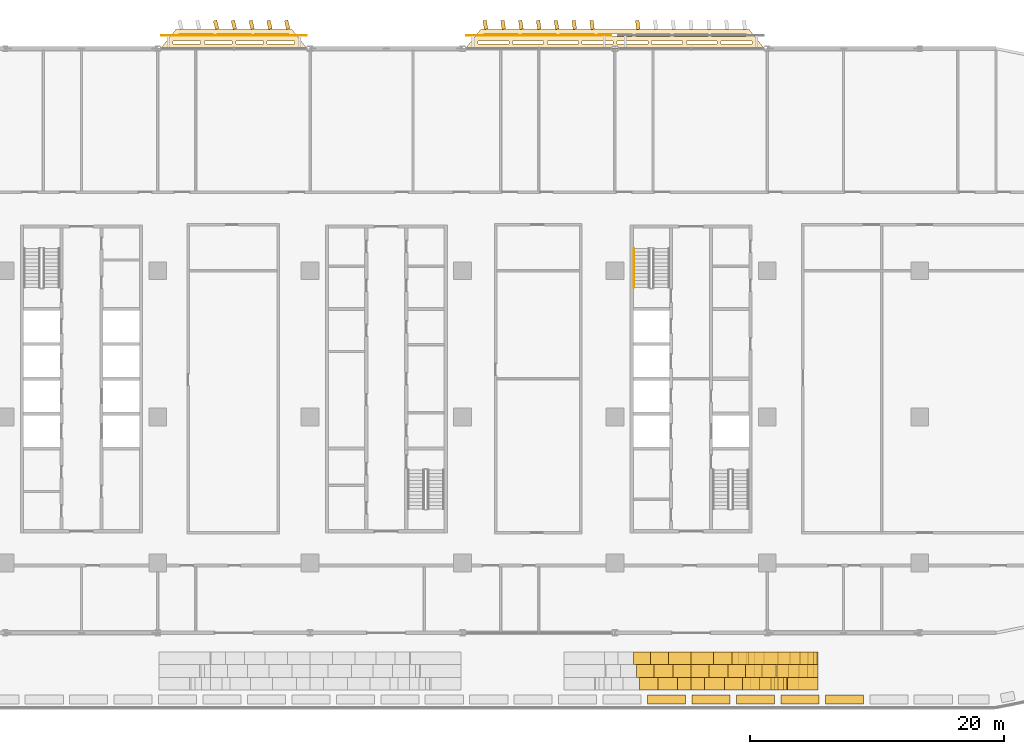
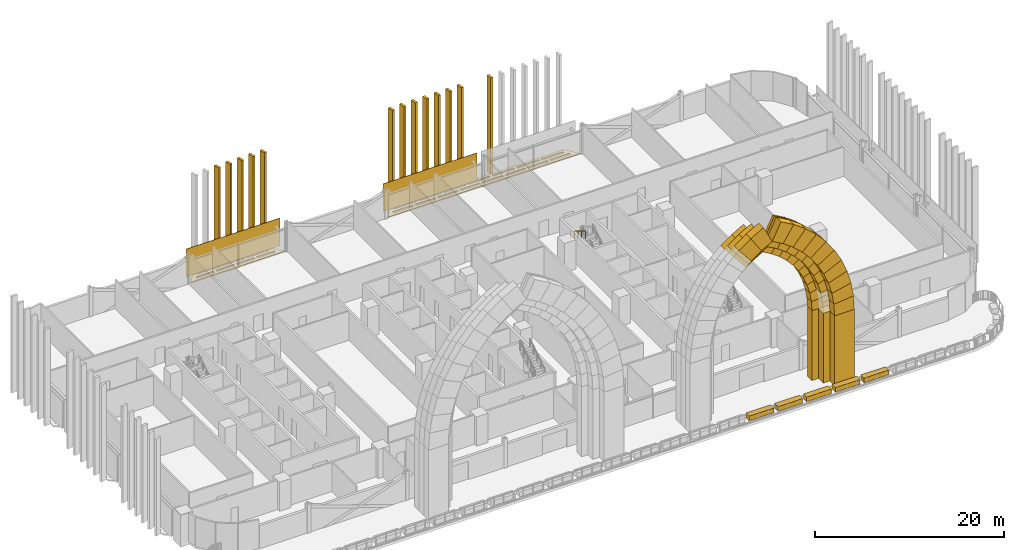
# One storey, part 27 of 31: 59 coverings, 1 railing.
"""IFC4 building model written with IfcOpenShell, lengths in metres."""

from ifc_helpers import new_model, si_unit, direction, frame, origin, origin_2d, place, context, subcontext, project, spatial, polyline, rectangle, circle, outline, extrude, material, layer, layer_set, type_object, element, save


model = new_model("IFC4")

# Units and contexts
model_context = context("Model", 3, precision=1e-05, world=origin(), true_north=direction((0.0, 1.0)))
body_context = subcontext(model_context, "Body", "Model", "MODEL_VIEW")
ifc_project = project(units=[si_unit("LENGTHUNIT", "METRE"), si_unit("AREAUNIT", "SQUARE_METRE"), si_unit("VOLUMEUNIT", "CUBIC_METRE"), si_unit("PLANEANGLEUNIT", "RADIAN"), si_unit("MASSUNIT", "GRAM", prefix="KILO")], contexts=[model_context])

# Site, building, storey
site_placement = place(None, origin())
site = spatial("IfcSite", under=ifc_project, at=site_placement, CompositionType="ELEMENT")
building_placement = place(site_placement, origin())
building = spatial("IfcBuilding", under=site, at=building_placement, Name="Mahtab Terrace Research Tower", CompositionType="ELEMENT")
storey_placement = place(building_placement, frame((0.0, 0.0, 84.800048828125)))
storey = spatial("IfcBuildingStorey", under=building, at=storey_placement, Name="L19", CompositionType="ELEMENT", Elevation=84.800048828125)

# Coverings
ifc_material_1 = material(Name="Black anodised aluminium", Category="aluminium")
ifc_layer_1 = layer(ifc_material_1, 0.14990234375)
ifc_layer_set_1 = layer_set([ifc_layer_1], Name="Horizontal sunshade band")
covering_type_1 = type_object("IfcCoveringType", Name="Horizontal sunshade band", PredefinedType="CLADDING", material=ifc_layer_set_1)
covering_1_placement = place(storey_placement, frame((0.0, 0.0, -0.150146484375)))
element("IfcCovering", 1, at=covering_1_placement, inside=storey, type_object=covering_type_1, Name="Sunshade band L19 5", PredefinedType="CLADDING", context=body_context, shape_type="SweptSolid", body=[
    extrude(outline(polyline([(29.77197265625, 29.0), (6.22802734375, 29.0), (7.427978515625, 30.5), (28.572021484375, 30.5), (29.77197265625, 29.0)]), holes=[polyline([(28.7919921875, 29.35009765625), (26.35595703125, 29.35009765625), (26.35595703125, 29.60009765625), (28.7919921875, 29.60009765625), (28.7919921875, 29.35009765625)]), polyline([(26.055908203125, 29.35009765625), (23.62109375, 29.35009765625), (23.62109375, 29.60009765625), (26.055908203125, 29.60009765625), (26.055908203125, 29.35009765625)]), polyline([(23.321044921875, 29.35009765625), (20.885009765625, 29.35009765625), (20.885009765625, 29.60009765625), (23.321044921875, 29.60009765625), (23.321044921875, 29.35009765625)]), polyline([(20.5849609375, 29.35009765625), (18.14990234375, 29.35009765625), (18.14990234375, 29.60009765625), (20.5849609375, 29.60009765625), (20.5849609375, 29.35009765625)]), polyline([(17.85009765625, 29.35009765625), (15.4150390625, 29.35009765625), (15.4150390625, 29.60009765625), (17.85009765625, 29.60009765625), (17.85009765625, 29.35009765625)]), polyline([(15.114013671875, 29.35009765625), (12.678955078125, 29.35009765625), (12.678955078125, 29.60009765625), (15.114013671875, 29.60009765625), (15.114013671875, 29.35009765625)]), polyline([(12.37890625, 29.35009765625), (9.944091796875, 29.35009765625), (9.944091796875, 29.60009765625), (12.37890625, 29.60009765625), (12.37890625, 29.35009765625)]), polyline([(9.64404296875, 29.35009765625), (7.2080078125, 29.35009765625), (7.2080078125, 29.60009765625), (9.64404296875, 29.60009765625), (9.64404296875, 29.35009765625)]), polyline([(28.31201171875, 29.949951171875), (25.623046875, 29.949951171875), (25.623046875, 30.199951171875), (28.31201171875, 30.199951171875), (28.31201171875, 29.949951171875)]), polyline([(25.322998046875, 29.949951171875), (22.634033203125, 29.949951171875), (22.634033203125, 30.199951171875), (25.322998046875, 30.199951171875), (25.322998046875, 29.949951171875)]), polyline([(22.333984375, 29.949951171875), (19.64501953125, 29.949951171875), (19.64501953125, 30.199951171875), (22.333984375, 30.199951171875), (22.333984375, 29.949951171875)]), polyline([(19.344970703125, 29.949951171875), (16.655029296875, 29.949951171875), (16.655029296875, 30.199951171875), (19.344970703125, 30.199951171875), (19.344970703125, 29.949951171875)]), polyline([(16.35498046875, 29.949951171875), (13.666015625, 29.949951171875), (13.666015625, 30.199951171875), (16.35498046875, 30.199951171875), (16.35498046875, 29.949951171875)]), polyline([(13.365966796875, 29.949951171875), (10.677001953125, 29.949951171875), (10.677001953125, 30.199951171875), (13.365966796875, 30.199951171875), (13.365966796875, 29.949951171875)]), polyline([(10.376953125, 29.949951171875), (7.68798828125, 29.949951171875), (7.68798828125, 30.199951171875), (10.376953125, 30.199951171875), (10.376953125, 29.949951171875)])]), origin(), (0.0, 0.0, 1.0), 0.150146484375),
])
covering_2_placement = place(storey_placement, frame((0.0, 0.0, -0.150146484375)))
element("IfcCovering", 2, at=covering_2_placement, inside=storey, type_object=covering_type_1, Name="Sunshade band L19 8", PredefinedType="CLADDING", context=body_context, shape_type="SweptSolid", body=[
    extrude(outline(polyline([(-6.22802734375, 29.0), (-17.77197265625, 29.0), (-16.572021484375, 30.5), (-7.427978515625, 30.5), (-6.22802734375, 29.0)]), holes=[polyline([(-7.2080078125, 29.35009765625), (-9.37890625, 29.35009765625), (-9.37890625, 29.60009765625), (-7.2080078125, 29.60009765625), (-7.2080078125, 29.35009765625)]), polyline([(-9.678955078125, 29.35009765625), (-11.85009765625, 29.35009765625), (-11.85009765625, 29.60009765625), (-9.678955078125, 29.60009765625), (-9.678955078125, 29.35009765625)]), polyline([(-12.14990234375, 29.35009765625), (-14.321044921875, 29.35009765625), (-14.321044921875, 29.60009765625), (-12.14990234375, 29.60009765625), (-12.14990234375, 29.35009765625)]), polyline([(-14.62109375, 29.35009765625), (-16.7919921875, 29.35009765625), (-16.7919921875, 29.60009765625), (-14.62109375, 29.60009765625), (-14.62109375, 29.35009765625)]), polyline([(-7.68798828125, 29.949951171875), (-10.363037109375, 29.949951171875), (-10.363037109375, 30.199951171875), (-7.68798828125, 30.199951171875), (-7.68798828125, 29.949951171875)]), polyline([(-10.6630859375, 29.949951171875), (-13.3369140625, 29.949951171875), (-13.3369140625, 30.199951171875), (-10.6630859375, 30.199951171875), (-10.6630859375, 29.949951171875)]), polyline([(-13.636962890625, 29.949951171875), (-16.31201171875, 29.949951171875), (-16.31201171875, 30.199951171875), (-13.636962890625, 30.199951171875), (-13.636962890625, 29.949951171875)])]), origin(), (0.0, 0.0, 1.0), 0.150146484375),
])
ifc_material_2 = material(Name="Glazed ceramic tile cladding", Category="masonry")
ifc_layer_2 = layer(ifc_material_2, 1.0)
ifc_layer_set_2 = layer_set([ifc_layer_2], Name="Iwan portal cladding arch course 800")
covering_type_2 = type_object("IfcCoveringType", Name="Iwan portal cladding arch course 800", PredefinedType="CLADDING", material=ifc_layer_set_2)
covering_3_placement = place(storey_placement, frame((19.464111328125, -18.5, 20.513916015625), z_axis=(0.0, 1.0, 0.0), x_axis=(0.809615740887, 0.0, 0.586960264506)))
element("IfcCovering", 3, at=covering_3_placement, inside=storey, type_object=covering_type_2, Name="Iwan portal arch course 2.2.1W9", PredefinedType="CLADDING", context=body_context, shape_type="SweptSolid", body=[
    extrude(outline(polyline([(0.0, 0.0), (1.6425495666851702, 0.0), (1.4194930729205357, 3.9945677590866824), (0.22069244711913805, 3.9939213630454797), (0.0, 0.0)])), origin(), (0.0, 0.0, -1.0), 1.0),
])
covering_4_placement = place(storey_placement, frame((20.7939453125, -18.5, 21.47802734375), z_axis=(0.0, 1.0, 0.0), x_axis=(0.8698584092, 0.0, 0.493301477743)))
element("IfcCovering", 4, at=covering_4_placement, inside=storey, type_object=covering_type_2, Name="Iwan portal arch course 2.2.1W10", PredefinedType="CLADDING", context=body_context, shape_type="SweptSolid", body=[
    extrude(outline(polyline([(0.0, 0.0), (1.641621786398049, -1.1102230246251565e-16), (1.4207932480320598, 3.9938370790592885), (0.22247330845292224, 3.994600281426338), (0.0, 0.0)])), origin(), (0.0, 0.0, -1.0), 1.0),
])
covering_5_placement = place(storey_placement, frame((30.0, -18.5, 9.030029296875), z_axis=(0.0, 1.0, 0.0), x_axis=(-0.054985017031, 0.0, 0.998487179638)))
element("IfcCovering", 5, at=covering_5_placement, inside=storey, type_object=covering_type_2, Name="Iwan portal arch course 2.2.1E1", PredefinedType="CLADDING", context=body_context, shape_type="SweptSolid", body=[
    extrude(outline(polyline([(0.0, 0.0), (1.1988351065344451, 0.0), (1.4224788276243772, 3.993191550924247), (-0.21994006812347563, 3.993948718553337), (0.0, 0.0)])), origin(), (0.0, 0.0, -1.0), 1.0),
])
covering_6_placement = place(storey_placement, frame((29.93408203125, -18.5, 10.22705078125), z_axis=(0.0, 1.0, 0.0), x_axis=(-0.166150874454, 0.0, 0.98610034323)))
element("IfcCovering", 6, at=covering_6_placement, inside=storey, type_object=covering_type_2, Name="Iwan portal arch course 2.2.1E2", PredefinedType="CLADDING", context=body_context, shape_type="SweptSolid", body=[
    extrude(outline(polyline([(0.0, 0.0), (1.197553789766393, 0.0), (1.4181135708206742, 3.994017136573441), (-0.2237100498928522, 3.9931878355435124), (0.0, 0.0)])), origin(), (0.0, 0.0, -1.0), 1.0),
])
covering_7_placement = place(storey_placement, frame((29.735107421875, -18.5, 11.407958984375), z_axis=(0.0, 1.0, 0.0), x_axis=(-0.27445221207, 0.0, 0.961600740063)))
element("IfcCovering", 7, at=covering_7_placement, inside=storey, type_object=covering_type_2, Name="Iwan portal arch course 2.2.1E3", PredefinedType="CLADDING", context=body_context, shape_type="SweptSolid", body=[
    extrude(outline(polyline([(0.0, 0.0), (1.199121552047934, -5.551115123125783e-17), (1.4190565511190025, 3.9947634671425267), (-0.2236030718774017, 3.9938479152952238), (0.0, 0.0)])), origin(), (0.0, 0.0, -1.0), 1.0),
])
covering_8_placement = place(storey_placement, frame((29.406005859375, -18.5, 12.56103515625), z_axis=(0.0, 1.0, 0.0), x_axis=(-0.378966025683, 0.0, 0.925410585296)))
element("IfcCovering", 8, at=covering_8_placement, inside=storey, type_object=covering_type_2, Name="Iwan portal arch course 2.2.1E4", PredefinedType="CLADDING", context=body_context, shape_type="SweptSolid", body=[
    extrude(outline(polyline([(0.0, 0.0), (1.1982645718225517, -5.551115123125783e-17), (1.4201917156444848, 3.9940794424534234), (-0.2225640464640124, 3.9946178549962124), (0.0, 0.0)])), origin(), (0.0, 0.0, -1.0), 1.0),
])
covering_9_placement = place(storey_placement, frame((28.951904296875, -18.5, 13.669921875), z_axis=(0.0, 1.0, 0.0), x_axis=(-0.478952042529, 0.0, 0.877841068165)))
element("IfcCovering", 9, at=covering_9_placement, inside=storey, type_object=covering_type_2, Name="Iwan portal arch course 2.2.1E5", PredefinedType="CLADDING", context=body_context, shape_type="SweptSolid", body=[
    extrude(outline(polyline([(0.0, 0.0), (1.1983968297629959, 0.0), (1.4202998293334266, 3.994376096565172), (-0.22100012408733938, 3.9941308434936618), (0.0, 0.0)])), origin(), (0.0, 0.0, -1.0), 1.0),
])
covering_10_placement = place(storey_placement, frame((28.3779296875, -18.5, 14.721923828125), z_axis=(0.0, 1.0, 0.0), x_axis=(-0.573270912999, 0.0, 0.819365889154)))
element("IfcCovering", 10, at=covering_10_placement, inside=storey, type_object=covering_type_2, Name="Iwan portal arch course 2.2.1E6", PredefinedType="CLADDING", context=body_context, shape_type="SweptSolid", body=[
    extrude(outline(polyline([(0.0, 0.0), (1.1984067273820767, 1.1102230246251565e-16), (1.4210686151577359, 3.994143713161765), (-0.22205539999335344, 3.9943676272175255), (0.0, 0.0)])), origin(), (0.0, 0.0, -1.0), 1.0),
])
covering_11_placement = place(storey_placement, frame((27.69091796875, -18.5, 15.703857421875), z_axis=(0.0, 1.0, 0.0), x_axis=(-0.660563628093, 0.0, 0.750770066825)))
element("IfcCovering", 11, at=covering_11_placement, inside=storey, type_object=covering_type_2, Name="Iwan portal arch course 2.2.1E7", PredefinedType="CLADDING", context=body_context, shape_type="SweptSolid", body=[
    extrude(outline(polyline([(0.0, 0.0), (1.1989642690229376, 0.0), (1.4208619727254268, 3.9940701767119156), (-0.22145580088595218, 3.9942107663356263), (0.0, 0.0)])), origin(), (0.0, 0.0, -1.0), 1.0),
])
covering_12_placement = place(storey_placement, frame((26.89892578125, -18.5, 16.60400390625), z_axis=(0.0, 1.0, 0.0), x_axis=(-0.739746345725, 0.0, 0.672885832802)))
element("IfcCovering", 12, at=covering_12_placement, inside=storey, type_object=covering_type_2, Name="Iwan portal arch course 2.2.1E8", PredefinedType="CLADDING", context=body_context, shape_type="SweptSolid", body=[
    extrude(outline(polyline([(0.0, 0.0), (1.197689361015028, 1.1102230246251565e-16), (1.4199871494725709, 3.9938323329420555), (-0.22239538029747208, 3.994042496297496), (0.0, 0.0)])), origin(), (0.0, 0.0, -1.0), 1.0),
])
covering_13_placement = place(storey_placement, frame((26.012939453125, -18.5, 17.409912109375), z_axis=(0.0, 1.0, 0.0), x_axis=(-0.809932113465, 0.0, 0.586523632582)))
element("IfcCovering", 13, at=covering_13_placement, inside=storey, type_object=covering_type_2, Name="Iwan portal arch course 2.2.1E9", PredefinedType="CLADDING", context=body_context, shape_type="SweptSolid", body=[
    extrude(outline(polyline([(0.0, 0.0), (1.1988008000704973, 0.0), (1.419703381644306, 3.9946874509527515), (-0.2228459462642176, 3.9938017845957376), (0.0, 0.0)])), origin(), (0.0, 0.0, -1.0), 1.0),
])
covering_14_placement = place(storey_placement, frame((25.0419921875, -18.5, 18.113037109375), z_axis=(0.0, 1.0, 0.0), x_axis=(-0.869544052261, 0.0, 0.493855384883)))
element("IfcCovering", 14, at=covering_14_placement, inside=storey, type_object=covering_type_2, Name="Iwan portal arch course 2.2.1E10", PredefinedType="CLADDING", context=body_context, shape_type="SweptSolid", body=[
    extrude(outline(polyline([(0.0, 0.0), (1.1983201826184857, 0.0), (1.4216923251785247, 3.993695624775858), (-0.21992912827120636, 3.9947411630646656), (0.0, 0.0)])), origin(), (0.0, 0.0, -1.0), 1.0),
])
covering_15_placement = place(storey_placement, frame((19.699951171875, -19.5, 21.010009765625), z_axis=(0.0, 1.0, 0.0), x_axis=(0.809720417913, 0.0, 0.586815852559)))
element("IfcCovering", 15, at=covering_15_placement, inside=storey, type_object=covering_type_2, Name="Iwan portal arch course 2.2.2W9", PredefinedType="CLADDING", context=body_context, shape_type="SweptSolid", body=[
    extrude(outline(polyline([(0.0, 0.0), (1.7140971407176187, -1.1102230246251565e-16), (1.5362396927436595, 3.195578256446746), (0.17770601068267022, 3.1954671560688652), (0.0, 0.0)])), origin(), (0.0, 0.0, -1.0), 1.0),
])
covering_16_placement = place(storey_placement, frame((21.087890625, -19.5, 22.015869140625), z_axis=(0.0, 1.0, 0.0), x_axis=(0.869861148787, 0.0, 0.493296646887)))
element("IfcCovering", 16, at=covering_16_placement, inside=storey, type_object=covering_type_2, Name="Iwan portal arch course 2.2.2W10", PredefinedType="CLADDING", context=body_context, shape_type="SweptSolid", body=[
    extrude(outline(polyline([(0.0, 0.0), (1.7129058315250214, 0.0), (1.5361802099128599, 3.1945197738608115), (0.1780020941093967, 3.1955702025409645), (0.0, 0.0)])), origin(), (0.0, 0.0, -1.0), 1.0),
])
covering_17_placement = place(storey_placement, frame((30.4990234375, -19.5, 11.725830078125), z_axis=(0.0, 1.0, 0.0), x_axis=(-0.273961282228, 0.0, 0.961740721733)))
element("IfcCovering", 17, at=covering_17_placement, inside=storey, type_object=covering_type_2, Name="Iwan portal arch course 2.2.2E3", PredefinedType="CLADDING", context=body_context, shape_type="SweptSolid", body=[
    extrude(outline(polyline([(0.0, 0.0), (1.358112757663172, 0.0), (1.535557291409583, 3.1947682403449686), (-0.17816324112717452, 3.195518722526884), (0.0, 0.0)])), origin(), (0.0, 0.0, -1.0), 1.0),
])
covering_18_placement = place(storey_placement, frame((30.126953125, -19.5, 13.031982421875), z_axis=(0.0, 1.0, 0.0), x_axis=(-0.378415838613, 0.0, 0.925635702146)))
element("IfcCovering", 18, at=covering_18_placement, inside=storey, type_object=covering_type_2, Name="Iwan portal arch course 2.2.2E4", PredefinedType="CLADDING", context=body_context, shape_type="SweptSolid", body=[
    extrude(outline(polyline([(0.0, 0.0), (1.3580721607980304, 0.0), (1.5376096745140528, 3.194405582655918), (-0.17618047584585084, 3.1948381980945597), (0.0, 0.0)])), origin(), (0.0, 0.0, -1.0), 1.0),
])
covering_19_placement = place(storey_placement, frame((29.613037109375, -19.5, 14.2890625), z_axis=(0.0, 1.0, 0.0), x_axis=(-0.47941878879, 0.0, 0.877586249297)))
element("IfcCovering", 19, at=covering_19_placement, inside=storey, type_object=covering_type_2, Name="Iwan portal arch course 2.2.2E5", PredefinedType="CLADDING", context=body_context, shape_type="SweptSolid", body=[
    extrude(outline(polyline([(0.0, 0.0), (1.3581508737233285, 1.1102230246251565e-16), (1.535112282874346, 3.194936984609274), (-0.1783195243449227, 3.1944738052724784), (0.0, 0.0)])), origin(), (0.0, 0.0, -1.0), 1.0),
])
covering_20_placement = place(storey_placement, frame((28.9619140625, -19.5, 15.48095703125), z_axis=(0.0, 1.0, 0.0), x_axis=(-0.573305531521, 0.0, 0.819341667149)))
element("IfcCovering", 20, at=covering_20_placement, inside=storey, type_object=covering_type_2, Name="Iwan portal arch course 2.2.2E6", PredefinedType="CLADDING", context=body_context, shape_type="SweptSolid", body=[
    extrude(outline(polyline([(0.0, 0.0), (1.3584529555876084, 0.0), (1.5359713438313862, 3.1948105649984546), (-0.17657538685367147, 3.194958342249612), (0.0, 0.0)])), origin(), (0.0, 0.0, -1.0), 1.0),
])
covering_21_placement = place(storey_placement, frame((28.18310546875, -19.5, 16.593994140625), z_axis=(0.0, 1.0, 0.0), x_axis=(-0.660818389462, 0.0, 0.750545838806)))
element("IfcCovering", 21, at=covering_21_placement, inside=storey, type_object=covering_type_2, Name="Iwan portal arch course 2.2.2E7", PredefinedType="CLADDING", context=body_context, shape_type="SweptSolid", body=[
    extrude(outline(polyline([(0.0, 0.0), (1.357735818468913, 0.0), (1.5352853241044477, 3.195452847428281), (-0.17866535662826277, 3.1947466276265644), (0.0, 0.0)])), origin(), (0.0, 0.0, -1.0), 1.0),
])
covering_22_placement = place(storey_placement, frame((27.285888671875, -19.5, 17.613037109375), z_axis=(0.0, 1.0, 0.0), x_axis=(-0.739834331343, 0.0, 0.67278909189)))
element("IfcCovering", 22, at=covering_22_placement, inside=storey, type_object=covering_type_2, Name="Iwan portal arch course 2.2.2E8", PredefinedType="CLADDING", context=body_context, shape_type="SweptSolid", body=[
    extrude(outline(polyline([(0.0, 0.0), (1.3582538278203846, 0.0), (1.5351356474983595, 3.195512884282427), (-0.17724034614618045, 3.195470010309424), (0.0, 0.0)])), origin(), (0.0, 0.0, -1.0), 1.0),
])
covering_23_placement = place(storey_placement, frame((26.281005859375, -19.5, 18.52685546875), z_axis=(0.0, 1.0, 0.0), x_axis=(-0.809768404787, 0.0, 0.586749631964)))
element("IfcCovering", 23, at=covering_23_placement, inside=storey, type_object=covering_type_2, Name="Iwan portal arch course 2.2.2E9", PredefinedType="CLADDING", context=body_context, shape_type="SweptSolid", body=[
    extrude(outline(polyline([(0.0, 0.0), (1.3585336866038626, 1.1102230246251565e-16), (1.536129800785865, 3.1955927908765984), (-0.17796733419989197, 3.1954526126521383), (0.0, 0.0)])), origin(), (0.0, 0.0, -1.0), 1.0),
])
covering_24_placement = place(storey_placement, frame((25.180908203125, -19.5, 19.323974609375), z_axis=(0.0, 1.0, 0.0), x_axis=(-0.86947936813, 0.0, 0.493969258553)))
element("IfcCovering", 24, at=covering_24_placement, inside=storey, type_object=covering_type_2, Name="Iwan portal arch course 2.2.2E10", PredefinedType="CLADDING", context=body_context, shape_type="SweptSolid", body=[
    extrude(outline(polyline([(0.0, 0.0), (1.3581785220094809, 0.0), (1.5373747639034314, 3.19438213709835), (-0.17553055532321005, 3.19570691538241), (0.0, 0.0)])), origin(), (0.0, 0.0, -1.0), 1.0),
])
covering_25_placement = place(storey_placement, frame((19.93701171875, -20.5, 21.5068359375), z_axis=(0.0, 1.0, 0.0), x_axis=(0.80956979059, 0.0, 0.587023640209)))
element("IfcCovering", 25, at=covering_25_placement, inside=storey, type_object=covering_type_2, Name="Iwan portal arch course 2.2.3W9", PredefinedType="CLADDING", context=body_context, shape_type="SweptSolid", body=[
    extrude(outline(polyline([(0.0, 0.0), (1.7837767832508935, 0.0), (1.6506161084377848, 2.3962084118475846), (0.13189983204262967, 2.3954015433139735), (0.0, 0.0)])), origin(), (0.0, 0.0, -1.0), 1.0),
])
covering_26_placement = place(storey_placement, frame((21.381103515625, -20.5, 22.553955078125), z_axis=(0.0, 1.0, 0.0), x_axis=(0.869628771426, 0.0, 0.493706187836)))
element("IfcCovering", 26, at=covering_26_placement, inside=storey, type_object=covering_type_2, Name="Iwan portal arch course 2.2.3W10", PredefinedType="CLADDING", context=body_context, shape_type="SweptSolid", body=[
    extrude(outline(polyline([(0.0, 0.0), (1.7846718095354535, -1.1102230246251565e-16), (1.650933365896736, 2.396561677440083), (0.13316643440676035, 2.3962080917719137), (0.0, 0.0)])), origin(), (0.0, 0.0, -1.0), 1.0),
])
covering_27_placement = place(storey_placement, frame((31.60009765625, -20.5, 9.030029296875), z_axis=(0.0, 1.0, 0.0), x_axis=(-0.055318610266, 0.0, 0.998468753321)))
element("IfcCovering", 27, at=covering_27_placement, inside=storey, type_object=covering_type_2, Name="Iwan portal arch course 2.2.3E1", PredefinedType="CLADDING", context=body_context, shape_type="SweptSolid", body=[
    extrude(outline(polyline([(0.0, 0.0), (1.5181938699465614, 0.0), (1.6519777459329505, 2.395834977448435), (-0.13275926243067587, 2.396227501256007), (0.0, 0.0)])), origin(), (0.0, 0.0, -1.0), 1.0),
])
covering_28_placement = place(storey_placement, frame((31.51611328125, -20.5, 10.5458984375), z_axis=(0.0, 1.0, 0.0), x_axis=(-0.166119871209, 0.0, 0.986105566554)))
element("IfcCovering", 28, at=covering_28_placement, inside=storey, type_object=covering_type_2, Name="Iwan portal arch course 2.2.3E2", PredefinedType="CLADDING", context=body_context, shape_type="SweptSolid", body=[
    extrude(outline(polyline([(0.0, 0.0), (1.5181643459644198, 0.0), (1.6500058731711127, 2.396260634549468), (-0.13374117051284962, 2.3958373617483173), (0.0, 0.0)])), origin(), (0.0, 0.0, -1.0), 1.0),
])
covering_29_placement = place(storey_placement, frame((31.263916015625, -20.5, 12.04296875), z_axis=(0.0, 1.0, 0.0), x_axis=(-0.274041357069, 0.0, 0.961717908025)))
element("IfcCovering", 29, at=covering_29_placement, inside=storey, type_object=covering_type_2, Name="Iwan portal arch course 2.2.3E3", PredefinedType="CLADDING", context=body_context, shape_type="SweptSolid", body=[
    extrude(outline(polyline([(0.0, 0.0), (1.5180760650474732, -5.551115123125783e-17), (1.6504569233223965, 2.3960708406005846), (-0.13368816842764542, 2.3961583191872093), (0.0, 0.0)])), origin(), (0.0, 0.0, -1.0), 1.0),
])
covering_30_placement = place(storey_placement, frame((30.847900390625, -20.5, 13.5029296875), z_axis=(0.0, 1.0, 0.0), x_axis=(-0.378726772963, 0.0, 0.925508525861)))
element("IfcCovering", 30, at=covering_30_placement, inside=storey, type_object=covering_type_2, Name="Iwan portal arch course 2.2.3E4", PredefinedType="CLADDING", context=body_context, shape_type="SweptSolid", body=[
    extrude(outline(polyline([(0.0, 0.0), (1.5181159952775325, 0.0), (1.651622750133583, 2.3960392670320374), (-0.13343843854673565, 2.396012176081792), (0.0, 0.0)])), origin(), (0.0, 0.0, -1.0), 1.0),
])
covering_31_placement = place(storey_placement, frame((30.27294921875, -20.5, 14.907958984375), z_axis=(0.0, 1.0, 0.0), x_axis=(-0.47910009193, 0.0, 0.87776027588)))
element("IfcCovering", 31, at=covering_31_placement, inside=storey, type_object=covering_type_2, Name="Iwan portal arch course 2.2.3E5", PredefinedType="CLADDING", context=body_context, shape_type="SweptSolid", body=[
    extrude(outline(polyline([(0.0, 0.0), (1.517534213615231, 0.0), (1.6508916407475462, 2.395818212997516), (-0.13323016868414328, 2.3960546623364025), (0.0, 0.0)])), origin(), (0.0, 0.0, -1.0), 1.0),
])
covering_32_placement = place(storey_placement, frame((29.5458984375, -20.5, 16.239990234375), z_axis=(0.0, 1.0, 0.0), x_axis=(-0.57351629746, 0.0, 0.819194150704)))
element("IfcCovering", 32, at=covering_32_placement, inside=storey, type_object=covering_type_2, Name="Iwan portal arch course 2.2.3E6", PredefinedType="CLADDING", context=body_context, shape_type="SweptSolid", body=[
    extrude(outline(polyline([(0.0, 0.0), (1.5184391676946016, 0.0), (1.6512265218094941, 2.396402123501354), (-0.1332429740215879, 2.3958245810108556), (0.0, 0.0)])), origin(), (0.0, 0.0, -1.0), 1.0),
])
covering_33_placement = place(storey_placement, frame((28.675048828125, -20.5, 17.48388671875), z_axis=(0.0, 1.0, 0.0), x_axis=(-0.660801933765, 0.0, 0.750560326911)))
element("IfcCovering", 33, at=covering_33_placement, inside=storey, type_object=covering_type_2, Name="Iwan portal arch course 2.2.3E7", PredefinedType="CLADDING", context=body_context, shape_type="SweptSolid", body=[
    extrude(outline(polyline([(0.0, 0.0), (1.5177462962090775, -1.1102230246251565e-16), (1.6502444362402648, 2.396199829207315), (-0.13371195314693618, 2.39635071150286), (0.0, 0.0)])), origin(), (0.0, 0.0, -1.0), 1.0),
])
covering_34_placement = place(storey_placement, frame((27.672119140625, -20.5, 18.623046875), z_axis=(0.0, 1.0, 0.0), x_axis=(-0.739313780939, 0.0, 0.673361072021)))
element("IfcCovering", 34, at=covering_34_placement, inside=storey, type_object=covering_type_2, Name="Iwan portal arch course 2.2.3E8", PredefinedType="CLADDING", context=body_context, shape_type="SweptSolid", body=[
    extrude(outline(polyline([(0.0, 0.0), (1.5177186486027403, 1.1102230246251565e-16), (1.6528563524007507, 2.3952210587785085), (-0.13174636410558938, 2.3962412804535873), (0.0, 0.0)])), origin(), (0.0, 0.0, -1.0), 1.0),
])
covering_35_placement = place(storey_placement, frame((26.550048828125, -20.5, 19.64501953125), z_axis=(0.0, 1.0, 0.0), x_axis=(-0.809881552123, 0.0, 0.586593446546)))
element("IfcCovering", 35, at=covering_35_placement, inside=storey, type_object=covering_type_2, Name="Iwan portal arch course 2.2.3E9", PredefinedType="CLADDING", context=body_context, shape_type="SweptSolid", body=[
    extrude(outline(polyline([(0.0, 0.0), (1.5187164907330124, 0.0), (1.6506040815171623, 2.3962788196958544), (-0.13317244998767053, 2.3953311290859394), (0.0, 0.0)])), origin(), (0.0, 0.0, -1.0), 1.0),
])
covering_36_placement = place(storey_placement, frame((25.320068359375, -20.5, 20.535888671875), z_axis=(0.0, 1.0, 0.0), x_axis=(-0.869743763792, 0.0, 0.493503581896)))
element("IfcCovering", 36, at=covering_36_placement, inside=storey, type_object=covering_type_2, Name="Iwan portal arch course 2.2.3E10", PredefinedType="CLADDING", context=body_context, shape_type="SweptSolid", body=[
    extrude(outline(polyline([(0.0, 0.0), (1.5177669726764123, 0.0), (1.6509470991389814, 2.3965927687024227), (-0.13372466196725086, 2.396177003709774), (0.0, 0.0)])), origin(), (0.0, 0.0, -1.0), 1.0),
])
ifc_layer_3 = layer(ifc_material_2, 1.0)
ifc_layer_set_3 = layer_set([ifc_layer_3], Name="Iwan portal cladding pilaster 900")
covering_type_3 = type_object("IfcCoveringType", Name="Iwan portal cladding pilaster 900", PredefinedType="CLADDING", material=ifc_layer_set_3)
covering_37_placement = place(storey_placement, frame((32.0, -19.0, 0.030029296875), z_axis=(0.0, 0.0, 1.0), x_axis=(1.0, 0.0, 0.0)))
element("IfcCovering", 37, at=covering_37_placement, inside=storey, type_object=covering_type_3, Name="Iwan portal pilaster 2.2.1E", PredefinedType="CLADDING", context=body_context, shape_type="SweptSolid", body=[
    extrude(rectangle(XDim=4.0, YDim=1.0, at=origin_2d()), origin(), (0.0, 0.0, 1.0), 9.0),
])
covering_38_placement = place(storey_placement, frame((32.39990234375, -20.0, 0.030029296875), z_axis=(0.0, 0.0, 1.0), x_axis=(1.0, 0.0, 0.0)))
element("IfcCovering", 38, at=covering_38_placement, inside=storey, type_object=covering_type_3, Name="Iwan portal pilaster 2.2.2E", PredefinedType="CLADDING", context=body_context, shape_type="SweptSolid", body=[
    extrude(rectangle(XDim=3.199951171875, YDim=1.0, at=origin_2d()), origin(), (0.0, 0.0, 1.0), 9.0),
])
covering_39_placement = place(storey_placement, frame((32.800048828125, -21.0, 0.030029296875), z_axis=(0.0, 0.0, 1.0), x_axis=(1.0, 0.0, 0.0)))
element("IfcCovering", 39, at=covering_39_placement, inside=storey, type_object=covering_type_3, Name="Iwan portal pilaster 2.2.3E", PredefinedType="CLADDING", context=body_context, shape_type="SweptSolid", body=[
    extrude(rectangle(XDim=2.39990234375, YDim=1.0, at=origin_2d()), origin(), (0.0, 0.0, 1.0), 9.0),
])
ifc_material_3 = material(Name="Planting soil and shrubs")
ifc_layer_4 = layer(ifc_material_3, 0.1201171875)
ifc_layer_set_4 = layer_set([ifc_layer_4], Name="Planter")
covering_type_4 = type_object("IfcCoveringType", Name="Planter", PredefinedType="USERDEFINED", material=ifc_layer_set_4)
for number, where, z_axis, x_axis, name in (
    (40, (22.06591796875, -22.25, 0.02978515625), (0.0, 0.0, 1.0), (1.0, 0.0, 0.0), "PLANTER terrace 2"),
    (41, (25.56591796875, -22.25, 0.02978515625), (0.0, 0.0, 1.0), (1.0, 0.0, 0.0), "PLANTER terrace 2"),
    (42, (29.06591796875, -22.25, 0.02978515625), (0.0, 0.0, 1.0), (1.0, 0.0, 0.0), "PLANTER terrace 2"),
    (43, (32.56591796875, -22.25, 0.02978515625), (0.0, 0.0, 1.0), (1.0, 0.0, 0.0), "PLANTER terrace 2"),
    (44, (36.06591796875, -22.25, 0.02978515625), (0.0, 0.0, 1.0), (1.0, 0.0, 0.0), "PLANTER terrace 2"),
):
    element("IfcCovering", number, at=place(storey_placement, frame(where, z_axis=z_axis, x_axis=x_axis)), inside=storey, type_object=covering_type_4, Name=name, ObjectType="PLANTER", PredefinedType="USERDEFINED", context=body_context, shape_type="SweptSolid", body=[
        extrude(rectangle(XDim=3.0, YDim=0.699951171875, at=origin_2d()), origin(), (0.0, 0.0, 1.0), 0.60009765625),
    ])
ifc_material_4 = material(Name="Bronze anodised aluminium", Category="aluminium")
ifc_layer_5 = layer(ifc_material_4, 0.050048828125)
ifc_layer_set_5 = layer_set([ifc_layer_5], Name="Sky lounge girih screen panel")
covering_type_5 = type_object("IfcCoveringType", Name="Sky lounge girih screen panel", PredefinedType="CLADDING", material=ifc_layer_set_5)
for number, where, z_axis, x_axis, name in (
    (45, (12.0, 30.02490234375, 0.099853515625), (0.0, 0.0, 1.0), (-1.0, 0.0, 0.0), "Girih screen L19 N7"),
    (46, (-12.0, 30.02490234375, 0.099853515625), (0.0, 0.0, 1.0), (-1.0, 0.0, 0.0), "Girih screen L19 N9"),
):
    element("IfcCovering", number, at=place(storey_placement, frame(where, z_axis=z_axis, x_axis=x_axis)), inside=storey, type_object=covering_type_5, Name=name, PredefinedType="CLADDING", context=body_context, shape_type="SweptSolid", body=[
        extrude(rectangle(XDim=11.444091796875, YDim=0.050048828125, at=origin_2d()), origin(), (0.0, 0.0, 1.0), 3.56005859375),
    ])

# Railing
ifc_material_5 = material(Name="Stainless steel AISI 304", Category="steel")
railing_type = type_object("IfcRailingType", Name="Stair handrail 900", PredefinedType="HANDRAIL", material=ifc_material_5)
railing_placement = place(storey_placement, frame((19.5, 13.2548828125, 2.220703125)))
element("IfcRailing", 47, at=railing_placement, inside=storey, type_object=railing_type, Name="L19 ST3 stair handrail 2", PredefinedType="HANDRAIL", context=body_context, shape_type="SweptSolid", body=[
    extrude(circle(Radius=0.02392578125, at=origin_2d()), frame((0.0, 0.0, 0.8759765625), z_axis=(0.0, -0.853647949592, 0.520850437417), x_axis=(1.0, 0.0, 0.0)), (0.0, 0.0, 1.0), 3.60791015625),
    extrude(circle(Radius=0.02099609375, at=origin_2d()), origin(), (0.0, 0.0, 1.0), 0.851806640625),
    extrude(circle(Radius=0.02099609375, at=origin_2d()), frame((0.0, -0.77001953125, 0.4697265625)), (0.0, 0.0, 1.0), 0.851806640625),
    extrude(circle(Radius=0.02099609375, at=origin_2d()), frame((0.0, -1.5400390625, 0.939453125)), (0.0, 0.0, 1.0), 0.851806640625),
    extrude(circle(Radius=0.02099609375, at=origin_2d()), frame((0.0, -2.309814453125, 1.409423828125)), (0.0, 0.0, 1.0), 0.851806640625),
    extrude(circle(Radius=0.02099609375, at=origin_2d()), frame((0.0, -3.079833984375, 1.879150390625)), (0.0, 0.0, 1.0), 0.851806640625),
])

# Coverings
ifc_layer_6 = layer(ifc_material_4, 0.1201171875)
ifc_layer_set_6 = layer_set([ifc_layer_6], Name="Vertical fin 700")
covering_type_6 = type_object("IfcCoveringType", Name="Vertical fin 700", PredefinedType="CLADDING", material=ifc_layer_set_6)
for number, where, z_axis, x_axis, name in (
    (48, (19.800048828125, 30.864013671875, -0.14990234375), (0.0, 0.0, 1.0), (-0.993141528832, -0.116918363435, 0.0), "Fin L19 N7"),
    (49, (16.199951171875, 30.865478515625, -0.14990234375), (0.0, 0.0, 1.0), (-0.991281368707, -0.131762088833, 0.0), "Fin L19 N1"),
    (50, (14.800048828125, 30.865966796875, -0.14990234375), (0.0, 0.0, 1.0), (-0.990498036675, -0.137526867716, 0.0), "Fin L19 N2"),
    (51, (13.39990234375, 30.866455078125, -0.14990234375), (0.0, 0.0, 1.0), (-0.989681179966, -0.143286991809, 0.0), "Fin L19 N3"),
    (52, (12.0, 30.866943359375, -0.14990234375), (0.0, 0.0, 1.0), (-0.988830826226, -0.149042266169, 0.0), "Fin L19 N4"),
    (53, (10.60009765625, 30.867431640625, -0.14990234375), (0.0, 0.0, 1.0), (-0.987947004235, -0.154792496019, 0.0), "Fin L19 N5"),
    (54, (9.199951171875, 30.867919921875, -0.14990234375), (0.0, 0.0, 1.0), (-0.98702974391, -0.160537486702, 0.0), "Fin L19 N6"),
    (55, (7.800048828125, 30.868408203125, -0.14990234375), (0.0, 0.0, 1.0), (-0.986079076296, -0.166277043787, 0.0), "Fin L19 N7"),
    (56, (-7.800048828125, 30.872802734375, -0.14990234375), (0.0, 0.0, 1.0), (-0.973236201459, -0.22980708468, 0.0), "Fin L19 N1"),
    (57, (-9.199951171875, 30.873046875, -0.14990234375), (0.0, 0.0, 1.0), (-0.971882775364, -0.235465222381, 0.0), "Fin L19 N2"),
    (58, (-10.60009765625, 30.87353515625, -0.14990234375), (0.0, 0.0, 1.0), (-0.970496454648, -0.24111539046, 0.0), "Fin L19 N3"),
    (59, (-12.0, 30.873779296875, -0.14990234375), (0.0, 0.0, 1.0), (-0.969077286228, -0.246757397695, 0.0), "Fin L19 N4"),
    (60, (-13.39990234375, 30.8740234375, -0.14990234375), (0.0, 0.0, 1.0), (-0.967625318147, -0.252391053092, 0.0), "Fin L19 N5"),
):
    element("IfcCovering", number, at=place(storey_placement, frame(where, z_axis=z_axis, x_axis=x_axis)), inside=storey, type_object=covering_type_6, Name=name, PredefinedType="CLADDING", context=body_context, shape_type="SweptSolid", body=[
        extrude(rectangle(XDim=0.280029296875, YDim=0.699951171875, at=origin_2d()), origin(), (0.0, 0.0, 1.0), 12.449951171875),
    ])

save(model, "model.ifc")
